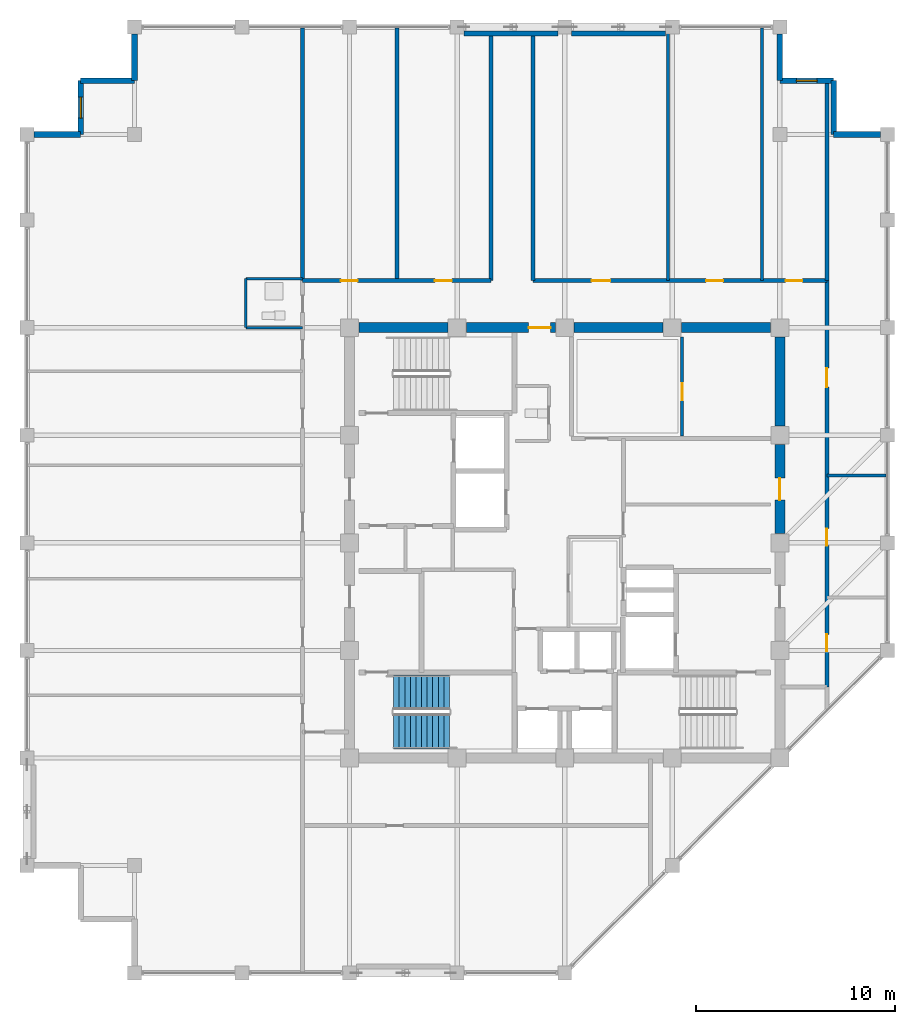
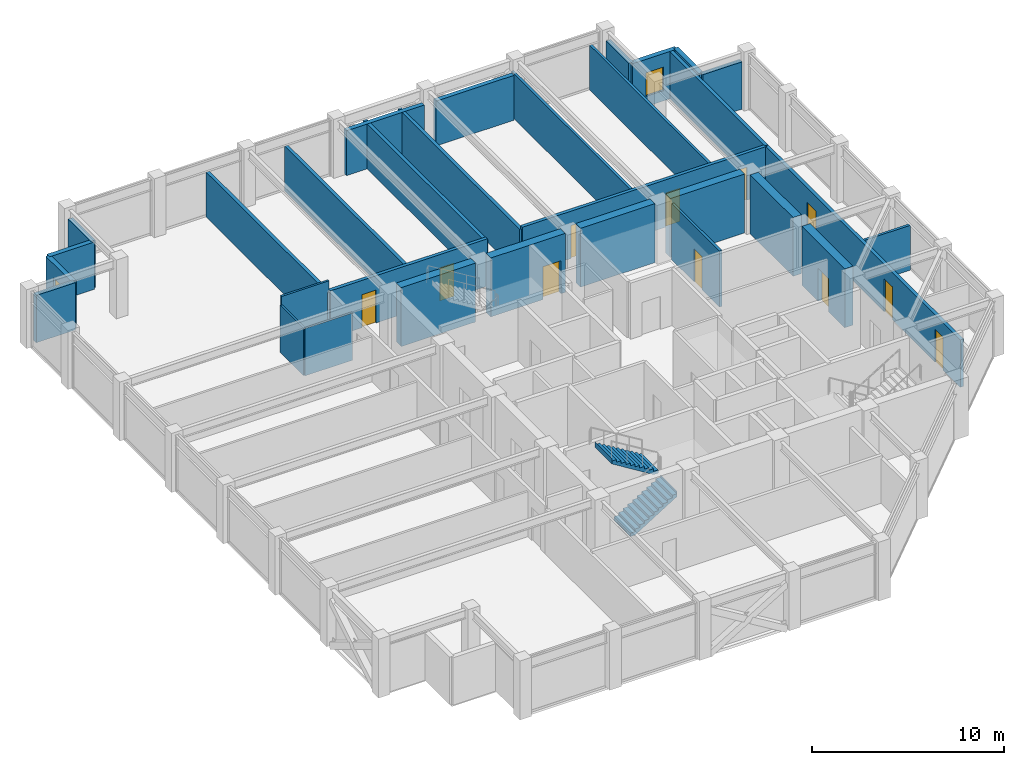
# One storey, part 28 of 31: 31 walls, 11 doors, 2 stair flights, 2 windows, 13 openings, 1 element without a shape of its own.
"""IFC4 building model written with IfcOpenShell, lengths in metres."""

from ifc_helpers import new_model, si_unit, direction, frame, frame_2d, origin, place, context, subcontext, project, spatial, polyline, rectangle, outline, extrude, material, layer, layer_set, type_object, element, fill, aggregate, save


model = new_model("IFC4")

# Units and contexts
model_context = context("Model", 3, precision=1e-05, world=origin(), true_north=direction((0.0, 1.0)))
body_context = subcontext(model_context, "Body", "Model", "MODEL_VIEW")
ifc_project = project(units=[si_unit("LENGTHUNIT", "METRE"), si_unit("AREAUNIT", "SQUARE_METRE"), si_unit("VOLUMEUNIT", "CUBIC_METRE"), si_unit("PLANEANGLEUNIT", "RADIAN"), si_unit("MASSUNIT", "GRAM", prefix="KILO")], contexts=[model_context])

# Site, building, storey
site_placement = place(None, origin())
site = spatial("IfcSite", under=ifc_project, at=site_placement, CompositionType="ELEMENT")
building_placement = place(site_placement, origin())
building = spatial("IfcBuilding", under=site, at=building_placement, Name="Surkhivell Harbour Commons", CompositionType="ELEMENT")
storey_placement = place(building_placement, frame((0.0, 0.0, 288.75)))
storey = spatial("IfcBuildingStorey", under=building, at=storey_placement, Name="L75", CompositionType="ELEMENT", Elevation=288.75)

# Wall
ifc_material_1 = material(Name="Concrete C50/60", Category="concrete")
ifc_layer_1 = layer(ifc_material_1, 0.5)
ifc_layer_set_1 = layer_set([ifc_layer_1], Name="Concrete C50/60")
wall_type_1 = type_object("IfcWallType", Name="WAL-CORE-500", PredefinedType="SHEAR", material=ifc_layer_set_1)
wall_1_placement = place(storey_placement, frame((-10.340087890625, 10.800048828125, 0.0), z_axis=(0.0, 0.0, 1.0), x_axis=(1.0, 0.0, 0.0)))
element("IfcWall", 1, at=wall_1_placement, inside=storey, type_object=wall_type_1, Name="L75 Core Shear Wall North 1", PredefinedType="SHEAR", context=body_context, shape_type="SweptSolid", body=[
    extrude(rectangle(XDim=4.47998046875, YDim=0.5, at=frame_2d((2.239990234375, 0.0))), origin(), (0.0, 0.0, 1.0), 3.75),
])

# Wall, opening, door
wall_2_placement = place(storey_placement, frame((-4.93994140625, 10.800048828125, 0.0), z_axis=(0.0, 0.0, 1.0), x_axis=(1.0, 0.0, 0.0)))
wall_2 = element("IfcWall", 2, at=wall_2_placement, inside=storey, type_object=wall_type_1, Name="L75 Core Shear Wall North 2", PredefinedType="SHEAR", context=body_context, shape_type="SweptSolid", body=[
    extrude(rectangle(XDim=4.47998046875, YDim=0.5, at=frame_2d((2.239990234375, 0.0))), origin(), (0.0, 0.0, 1.0), 3.75),
])
opening_1_placement = place(wall_2_placement, frame((3.1298828125, 0.0, 0.0)))
opening_1 = element("IfcOpeningElement", 3, at=opening_1_placement, cuts=wall_2, Name="Opening ID-2", PredefinedType="OPENING", context=body_context, shape_type="SweptSolid", body=[
    extrude(rectangle(XDim=1.10009765625, YDim=2.10009765625, at=frame_2d((0.550048828125, 1.050048828125))), frame((0.0, 0.260009765625, 0.0), z_axis=(0.0, -1.0, 0.0), x_axis=(1.0, 0.0, 0.0)), (0.0, 0.0, 1.0), 0.52001953125),
])
ifc_material_2 = material(Name="Hardwood-veneered fire-rated door leaf", Category="wood")
door_type_1 = type_object("IfcDoorType", Name="DOR-FD60-1100", OperationType="NOTDEFINED", PredefinedType="DOOR", material=ifc_material_2)
door_1_placement = place(opening_1_placement, origin())
door_1 = element("IfcDoor", 4, at=door_1_placement, inside=storey, type_object=door_type_1, Name="L75 Central Core Lift Hall North Corridor Door", OperationType="SINGLE_SWING_LEFT", OverallHeight=2.10009765625, OverallWidth=1.10009765625, PredefinedType="DOOR", context=body_context, shape_type="SweptSolid", body=[
    extrude(rectangle(XDim=1.10009765625, YDim=2.10009765625, at=frame_2d((0.550048828125, 1.050048828125))), frame((0.0, 0.02490234375, 0.0), z_axis=(0.0, -1.0, 0.0), x_axis=(1.0, 0.0, 0.0)), (0.0, 0.0, 1.0), 0.050048828125),
])
fill(opening_1, door_1)

# Wall
wall_3_placement = place(storey_placement, frame((0.4599609375, 10.800048828125, 0.0), z_axis=(0.0, 0.0, 1.0), x_axis=(1.0, 0.0, 0.0)))
element("IfcWall", 5, at=wall_3_placement, inside=storey, type_object=wall_type_1, Name="L75 Core Shear Wall North 3", PredefinedType="SHEAR", context=body_context, shape_type="SweptSolid", body=[
    extrude(rectangle(XDim=4.47998046875, YDim=0.5, at=frame_2d((2.239990234375, 0.0))), origin(), (0.0, 0.0, 1.0), 3.75),
])

# Wall, opening, door
wall_4_placement = place(storey_placement, frame((10.800048828125, 0.4599609375, 0.0), z_axis=(0.0, 0.0, 1.0), x_axis=(0.0, 1.0, 0.0)))
wall_4 = element("IfcWall", 6, at=wall_4_placement, inside=storey, type_object=wall_type_1, Name="L75 Core Shear Wall East 3", PredefinedType="SHEAR", context=body_context, shape_type="SweptSolid", body=[
    extrude(rectangle(XDim=4.47998046875, YDim=0.5, at=frame_2d((2.239990234375, 0.0))), origin(), (0.0, 0.0, 1.0), 3.75),
])
opening_2_placement = place(wall_4_placement, frame((1.68994140625, 0.0, 0.0)))
opening_2 = element("IfcOpeningElement", 7, at=opening_2_placement, cuts=wall_4, Name="Opening ID-2", PredefinedType="OPENING", context=body_context, shape_type="SweptSolid", body=[
    extrude(rectangle(XDim=1.10009765625, YDim=2.10009765625, at=frame_2d((0.550048828125, 1.050048828125))), frame((0.0, 0.260009765625, 0.0), z_axis=(0.0, -1.0, 0.0), x_axis=(1.0, 0.0, 0.0)), (0.0, 0.0, 1.0), 0.52001953125),
])
door_2_placement = place(opening_2_placement, origin())
door_2 = element("IfcDoor", 8, at=door_2_placement, inside=storey, type_object=door_type_1, Name="L75 Quiet Study B East Door", OperationType="SINGLE_SWING_RIGHT", OverallHeight=2.10009765625, OverallWidth=1.10009765625, PredefinedType="DOOR", context=body_context, shape_type="SweptSolid", body=[
    extrude(rectangle(XDim=1.10009765625, YDim=2.10009765625, at=frame_2d((0.550048828125, 1.050048828125))), frame((0.0, 0.02490234375, 0.0), z_axis=(0.0, -1.0, 0.0), x_axis=(1.0, 0.0, 0.0)), (0.0, 0.0, 1.0), 0.050048828125),
])
fill(opening_2, door_2)

# Walls
for number, where, z_axis, x_axis, name in (
    (9, (5.860107421875, 10.800048828125, 0.0), (0.0, 0.0, 1.0), (1.0, 0.0, 0.0), "L75 Core Shear Wall North 4"),
    (10, (10.800048828125, 5.860107421875, 0.0), (0.0, 0.0, 1.0), (0.0, 1.0, 0.0), "L75 Core Shear Wall East 4"),
):
    element("IfcWall", number, at=place(storey_placement, frame(where, z_axis=z_axis, x_axis=x_axis)), inside=storey, type_object=wall_type_1, Name=name, PredefinedType="SHEAR", context=body_context, shape_type="SweptSolid", body=[
        extrude(rectangle(XDim=4.47998046875, YDim=0.5, at=frame_2d((2.239990234375, 0.0))), origin(), (0.0, 0.0, 1.0), 3.75),
    ])
ifc_material_3 = material(Name="Pale-metal insulated precast concrete C45/55", Category="concrete")
ifc_layer_2 = layer(ifc_material_3, 0.260009765625)
ifc_layer_set_2 = layer_set([ifc_layer_2], Name="Pale-metal insulated precast concrete C45/55")
wall_type_2 = type_object("IfcWallType", Name="WAL-EXT-MTL260", PredefinedType="STANDARD", material=ifc_layer_set_2)
for number, where, z_axis, x_axis, name in (
    (11, (-0.347900390625, 25.56494140625, 0.0), (0.0, 0.0, 1.0), (-1.0, 0.0, 0.0), "L75 Braced-Bay Insulated Spandrel Backing N"),
    (12, (5.052001953125, 25.56494140625, 0.0), (0.0, 0.0, 1.0), (-1.0, 0.0, 0.0), "L75 Braced-Bay Insulated Spandrel Backing N2"),
):
    element("IfcWall", number, at=place(storey_placement, frame(where, z_axis=z_axis, x_axis=x_axis)), inside=storey, type_object=wall_type_2, Name=name, PredefinedType="STANDARD", context=body_context, shape_type="SweptSolid", body=[
        extrude(rectangle(XDim=4.7041015625, YDim=0.260009765625, at=frame_2d((2.35205078125, 0.0))), origin(), (0.0, 0.0, 1.0), 2.85693359375),
    ])
ifc_material_4 = material(Name="Terracotta-clad reinforced concrete C45/55", Category="masonry")
ifc_layer_3 = layer(ifc_material_4, 0.280029296875)
ifc_layer_set_3 = layer_set([ifc_layer_3], Name="Terracotta-clad reinforced concrete C45/55")
wall_type_3 = type_object("IfcWallType", Name="WAL-EXT-TER280", PredefinedType="STANDARD", material=ifc_layer_set_3)
wall_5_placement = place(storey_placement, frame((15.85205078125, 20.5, 0.0), z_axis=(0.0, 0.0, 1.0), x_axis=(-1.0, 0.0, 0.0)))
element("IfcWall", 13, at=wall_5_placement, inside=storey, type_object=wall_type_3, Name="L75 Serrated Corner Facade Wall 03", PredefinedType="STANDARD", context=body_context, shape_type="SweptSolid", body=[
    extrude(rectangle(XDim=2.35205078125, YDim=0.280029296875, at=frame_2d((1.176025390625, 0.0))), origin(), (0.0, 0.0, 1.0), 3.012939453125),
])
wall_6_placement = place(storey_placement, frame((13.5, 20.5, 0.0), z_axis=(0.0, 0.0, 1.0), x_axis=(0.0, 1.0, 0.0)))
element("IfcWall", 14, at=wall_6_placement, inside=storey, type_object=wall_type_3, Name="L75 Serrated Corner Facade Wall 04", PredefinedType="STANDARD", context=body_context, shape_type="SweptSolid", body=[
    extrude(rectangle(XDim=2.699951171875, YDim=0.280029296875, at=frame_2d((1.35009765625, 0.0))), origin(), (0.0, 0.0, 1.0), 3.012939453125),
])

# Wall, opening, window
wall_7_placement = place(storey_placement, frame((13.5, 23.199951171875, 0.0), z_axis=(0.0, 0.0, 1.0), x_axis=(-1.0, 0.0, 0.0)))
wall_7 = element("IfcWall", 15, at=wall_7_placement, inside=storey, type_object=wall_type_3, Name="L75 Serrated Corner Facade Wall 05", PredefinedType="STANDARD", context=body_context, shape_type="SweptSolid", body=[
    extrude(rectangle(XDim=2.699951171875, YDim=0.280029296875, at=frame_2d((1.35009765625, 0.0))), origin(), (0.0, 0.0, 1.0), 3.012939453125),
])
opening_3_placement = place(wall_7_placement, frame((0.824951171875, 0.0, 0.64990234375)))
opening_3 = element("IfcOpeningElement", 16, at=opening_3_placement, cuts=wall_7, Name="Opening WN-11", PredefinedType="OPENING", context=body_context, shape_type="SweptSolid", body=[
    extrude(rectangle(XDim=1.050048828125, YDim=1.5, at=frame_2d((0.52490234375, 0.75))), frame((0.0, 0.14990234375, 0.0), z_axis=(0.0, -1.0, 0.0), x_axis=(1.0, 0.0, 0.0)), (0.0, 0.0, 1.0), 0.300048828125),
])
ifc_material_5 = material(Name="Thermal-break aluminium frame and double low-E glazing", Category="aluminium")
window_type = type_object("IfcWindowType", Name="WIN-SER-1050x1500", PartitioningType="SINGLE_PANEL", PredefinedType="WINDOW", material=ifc_material_5)
window_1_placement = place(opening_3_placement, origin())
window_1 = element("IfcWindow", 17, at=window_1_placement, inside=storey, type_object=window_type, Name="L75 Serrated Alcove Window 05", OverallHeight=1.5, OverallWidth=1.050048828125, PartitioningType="SINGLE_PANEL", PredefinedType="WINDOW", context=body_context, shape_type="SweptSolid", body=[
    extrude(rectangle(XDim=1.050048828125, YDim=1.5, at=frame_2d((0.52490234375, 0.75))), frame((0.0, 0.030029296875, 0.0), z_axis=(0.0, -1.0, 0.0), x_axis=(1.0, 0.0, 0.0)), (0.0, 0.0, 1.0), 0.06005859375),
])
fill(opening_3, window_1)

# Walls
for number, where, z_axis, x_axis, name in (
    (18, (10.800048828125, 23.199951171875, 0.0), (0.0, 0.0, 1.0), (0.0, 1.0, 0.0), "L75 Serrated Corner Facade Wall 06"),
    (19, (-21.60009765625, 25.552001953125, 0.0), (0.0, 0.0, 1.0), (0.0, -1.0, 0.0), "L75 Serrated Corner Facade Wall 08"),
):
    element("IfcWall", number, at=place(storey_placement, frame(where, z_axis=z_axis, x_axis=x_axis)), inside=storey, type_object=wall_type_3, Name=name, PredefinedType="STANDARD", context=body_context, shape_type="SweptSolid", body=[
        extrude(rectangle(XDim=2.35205078125, YDim=0.280029296875, at=frame_2d((1.176025390625, 0.0))), origin(), (0.0, 0.0, 1.0), 3.012939453125),
    ])
wall_8_placement = place(storey_placement, frame((-21.60009765625, 23.199951171875, 0.0), z_axis=(0.0, 0.0, 1.0), x_axis=(-1.0, 0.0, 0.0)))
element("IfcWall", 20, at=wall_8_placement, inside=storey, type_object=wall_type_3, Name="L75 Serrated Corner Facade Wall 09", PredefinedType="STANDARD", context=body_context, shape_type="SweptSolid", body=[
    extrude(rectangle(XDim=2.699951171875, YDim=0.280029296875, at=frame_2d((1.35009765625, 0.0))), origin(), (0.0, 0.0, 1.0), 3.012939453125),
])

# Wall, opening, window
wall_9_placement = place(storey_placement, frame((-24.300048828125, 23.199951171875, 0.0), z_axis=(0.0, 0.0, 1.0), x_axis=(0.0, -1.0, 0.0)))
wall_9 = element("IfcWall", 21, at=wall_9_placement, inside=storey, type_object=wall_type_3, Name="L75 Serrated Corner Facade Wall 10", PredefinedType="STANDARD", context=body_context, shape_type="SweptSolid", body=[
    extrude(rectangle(XDim=2.699951171875, YDim=0.280029296875, at=frame_2d((1.35009765625, 0.0))), origin(), (0.0, 0.0, 1.0), 3.012939453125),
])
opening_4_placement = place(wall_9_placement, frame((0.824951171875, 0.0, 0.64990234375)))
opening_4 = element("IfcOpeningElement", 22, at=opening_4_placement, cuts=wall_9, Name="Opening WN-11", PredefinedType="OPENING", context=body_context, shape_type="SweptSolid", body=[
    extrude(rectangle(XDim=1.050048828125, YDim=1.5, at=frame_2d((0.52490234375, 0.75))), frame((0.0, 0.14990234375, 0.0), z_axis=(0.0, -1.0, 0.0), x_axis=(1.0, 0.0, 0.0)), (0.0, 0.0, 1.0), 0.300048828125),
])
window_2_placement = place(opening_4_placement, origin())
window_2 = element("IfcWindow", 23, at=window_2_placement, inside=storey, type_object=window_type, Name="L75 Serrated Alcove Window 10", OverallHeight=1.5, OverallWidth=1.050048828125, PartitioningType="SINGLE_PANEL", PredefinedType="WINDOW", context=body_context, shape_type="SweptSolid", body=[
    extrude(rectangle(XDim=1.050048828125, YDim=1.5, at=frame_2d((0.52490234375, 0.75))), frame((0.0, 0.030029296875, 0.0), z_axis=(0.0, -1.0, 0.0), x_axis=(1.0, 0.0, 0.0)), (0.0, 0.0, 1.0), 0.06005859375),
])
fill(opening_4, window_2)

# Walls
wall_10_placement = place(storey_placement, frame((-24.300048828125, 20.5, 0.0), z_axis=(0.0, 0.0, 1.0), x_axis=(-1.0, 0.0, 0.0)))
element("IfcWall", 24, at=wall_10_placement, inside=storey, type_object=wall_type_3, Name="L75 Serrated Corner Facade Wall 11", PredefinedType="STANDARD", context=body_context, shape_type="SweptSolid", body=[
    extrude(rectangle(XDim=2.35205078125, YDim=0.280029296875, at=frame_2d((1.176025390625, 0.0))), origin(), (0.0, 0.0, 1.0), 3.012939453125),
])
ifc_material_6 = material(Name="Moisture-resistant acoustic stud partition", Category="other")
ifc_layer_4 = layer(ifc_material_6, 0.125)
ifc_layer_set_4 = layer_set([ifc_layer_4], Name="Moisture-resistant acoustic stud partition")
wall_type_4 = type_object("IfcWallType", Name="WAL-INT-125", PredefinedType="PARTITIONING", material=ifc_layer_set_4)
wall_11_placement = place(storey_placement, frame((-16.010009765625, 10.81005859375, 0.0), z_axis=(0.0, 0.0, 1.0), x_axis=(0.0, 1.0, 0.0)))
element("IfcWall", 25, at=wall_11_placement, inside=storey, type_object=wall_type_4, Name="L75 West Partition BTHB", PredefinedType="PARTITIONING", context=body_context, shape_type="SweptSolid", body=[
    extrude(rectangle(XDim=2.449951171875, YDim=0.125, at=frame_2d((1.22509765625, 0.0))), origin(), (0.0, 0.0, 1.0), 3.012939453125),
])
wall_12_placement = place(storey_placement, frame((-16.010009765625, 13.260009765625, 0.0), z_axis=(0.0, 0.0, 1.0), x_axis=(1.0, 0.0, 0.0)))
element("IfcWall", 26, at=wall_12_placement, inside=storey, type_object=wall_type_4, Name="L75 West Partition BTHN", PredefinedType="PARTITIONING", context=body_context, shape_type="SweptSolid", body=[
    extrude(rectangle(XDim=2.85009765625, YDim=0.125, at=frame_2d((1.425048828125, 0.0))), origin(), (0.0, 0.0, 1.0), 3.570068359375),
])
wall_13_placement = place(storey_placement, frame((-16.010009765625, 10.81005859375, 0.0), z_axis=(0.0, 0.0, 1.0), x_axis=(1.0, 0.0, 0.0)))
element("IfcWall", 27, at=wall_13_placement, inside=storey, type_object=wall_type_4, Name="L75 West Partition BTHS", PredefinedType="PARTITIONING", context=body_context, shape_type="SweptSolid", body=[
    extrude(rectangle(XDim=2.85009765625, YDim=0.125, at=frame_2d((1.425048828125, 0.0))), origin(), (0.0, 0.0, 1.0), 3.012939453125),
])

# Wall, opening, door
ifc_material_7 = material(Name="Twin-stud acoustic fireboard partition", Category="other")
ifc_layer_5 = layer(ifc_material_7, 0.14990234375)
ifc_layer_set_5 = layer_set([ifc_layer_5], Name="Twin-stud acoustic fireboard partition")
wall_type_5 = type_object("IfcWallType", Name="WAL-INT-150", PredefinedType="PARTITIONING", material=ifc_layer_set_5)
wall_14_placement = place(storey_placement, frame((5.89990234375, 5.360107421875, 0.0), z_axis=(0.0, 0.0, 1.0), x_axis=(0.0, 1.0, 0.0)))
wall_14 = element("IfcWall", 28, at=wall_14_placement, inside=storey, type_object=wall_type_5, Name="L75 Study Pod Wall 1", PredefinedType="PARTITIONING", context=body_context, shape_type="SweptSolid", body=[
    extrude(rectangle(XDim=4.97998046875, YDim=0.14990234375, at=frame_2d((2.489990234375, 0.0))), origin(), (0.0, 0.0, 1.0), 3.570068359375),
])
opening_5_placement = place(wall_14_placement, frame((1.800048828125, 0.0, 0.0)))
opening_5 = element("IfcOpeningElement", 29, at=opening_5_placement, cuts=wall_14, Name="Opening ID-6", PredefinedType="OPENING", context=body_context, shape_type="SweptSolid", body=[
    extrude(rectangle(XDim=0.85009765625, YDim=2.10009765625, at=frame_2d((0.425048828125, 1.050048828125))), frame((0.0, 0.0849609375, 0.0), z_axis=(0.0, -1.0, 0.0), x_axis=(1.0, 0.0, 0.0)), (0.0, 0.0, 1.0), 0.169921875),
])
door_type_2 = type_object("IfcDoorType", Name="DOR-FD30-850", OperationType="NOTDEFINED", PredefinedType="DOOR", material=ifc_material_2)
door_3_placement = place(opening_5_placement, origin())
door_3 = element("IfcDoor", 30, at=door_3_placement, inside=storey, type_object=door_type_2, Name="L75 Core Music Door", OperationType="SINGLE_SWING_RIGHT", OverallHeight=2.10009765625, OverallWidth=0.85009765625, PredefinedType="DOOR", context=body_context, shape_type="SweptSolid", body=[
    extrude(rectangle(XDim=0.85009765625, YDim=2.10009765625, at=frame_2d((0.425048828125, 1.050048828125))), frame((0.0, 0.02490234375, 0.0), z_axis=(0.0, -1.0, 0.0), x_axis=(1.0, 0.0, 0.0)), (0.0, 0.0, 1.0), 0.050048828125),
])
fill(opening_5, door_3)

# Walls
wall_15_placement = place(storey_placement, frame((13.159912109375, 3.3701171875, 0.0), z_axis=(0.0, 0.0, 1.0), x_axis=(1.0, 0.0, 0.0)))
element("IfcWall", 31, at=wall_15_placement, inside=storey, type_object=wall_type_5, Name="L75 East Partition P2", PredefinedType="PARTITIONING", context=body_context, shape_type="SweptSolid", body=[
    extrude(rectangle(XDim=2.97998046875, YDim=0.14990234375, at=frame_2d((1.489990234375, 0.0))), origin(), (0.0, 0.0, 1.0), 2.85693359375),
])
for number, where, z_axis, x_axis, name in (
    (32, (5.18994140625, 13.159912109375, 0.0), (0.0, 0.0, 1.0), (0.0, 1.0, 0.0), "L75 North-East Partition P1"),
    (33, (9.909912109375, 13.159912109375, 0.0), (0.0, 0.0, 1.0), (0.0, 1.0, 0.0), "L75 North-East Partition P2"),
):
    element("IfcWall", number, at=place(storey_placement, frame(where, z_axis=z_axis, x_axis=x_axis)), inside=storey, type_object=wall_type_5, Name=name, PredefinedType="PARTITIONING", context=body_context, shape_type="SweptSolid", body=[
        extrude(rectangle(XDim=12.68017578125, YDim=0.14990234375, at=frame_2d((6.340087890625, 0.0))), origin(), (0.0, 0.0, 1.0), 2.85693359375),
    ])
ifc_material_8 = material(Name="Autoclaved aerated concrete blockwork and fire plaster", Category="masonry")
ifc_layer_6 = layer(ifc_material_8, 0.199951171875)
ifc_layer_set_6 = layer_set([ifc_layer_6], Name="Autoclaved aerated concrete blockwork and fire plaster")
wall_type_6 = type_object("IfcWallType", Name="WAL-INT-200", PredefinedType="PARTITIONING", material=ifc_layer_set_6)
wall_16_placement = place(storey_placement, frame((13.159912109375, 13.159912109375, 0.0), z_axis=(0.0, 0.0, 1.0), x_axis=(0.0, 1.0, 0.0)))
element("IfcWall", 34, at=wall_16_placement, inside=storey, type_object=wall_type_6, Name="L75 North-East Corner Wall", PredefinedType="PARTITIONING", context=body_context, shape_type="SweptSolid", body=[
    extrude(rectangle(XDim=9.97998046875, YDim=0.199951171875, at=frame_2d((4.989990234375, 0.0))), origin(), (0.0, 0.0, 1.0), 3.012939453125),
])
wall_17_placement = place(storey_placement, frame((-13.159912109375, 13.159912109375, 0.0), z_axis=(0.0, 0.0, 1.0), x_axis=(0.0, 1.0, 0.0)))
element("IfcWall", 35, at=wall_17_placement, inside=storey, type_object=wall_type_6, Name="L75 North-West Corner Wall", PredefinedType="PARTITIONING", context=body_context, shape_type="SweptSolid", body=[
    extrude(rectangle(XDim=12.68017578125, YDim=0.199951171875, at=frame_2d((6.340087890625, 0.0))), origin(), (0.0, 0.0, 1.0), 2.85693359375),
])

# Wall, openings, doors
wall_18_placement = place(storey_placement, frame((13.159912109375, -7.239990234375, 0.0), z_axis=(0.0, 0.0, 1.0), x_axis=(0.0, 1.0, 0.0)))
wall_18 = element("IfcWall", 36, at=wall_18_placement, inside=storey, type_object=wall_type_6, Name="L75 East Corridor Wall", PredefinedType="PARTITIONING", context=body_context, shape_type="SweptSolid", body=[
    extrude(rectangle(XDim=20.39990234375, YDim=0.199951171875, at=frame_2d((10.199951171875, 0.0))), origin(), (0.0, 0.0, 1.0), 3.012939453125),
])
opening_6_placement = place(wall_18_placement, frame((1.794921875, 0.0, 0.0)))
opening_6 = element("IfcOpeningElement", 37, at=opening_6_placement, cuts=wall_18, Name="Opening ID-6", PredefinedType="OPENING", context=body_context, shape_type="SweptSolid", body=[
    extrude(rectangle(XDim=0.85009765625, YDim=2.10009765625, at=frame_2d((0.425048828125, 1.050048828125))), frame((0.0, 0.10986328125, 0.0), z_axis=(0.0, -1.0, 0.0), x_axis=(1.0, 0.0, 0.0)), (0.0, 0.0, 1.0), 0.219970703125),
])
opening_7_placement = place(wall_18_placement, frame((7.10009765625, 0.0, 0.0)))
opening_7 = element("IfcOpeningElement", 38, at=opening_7_placement, cuts=wall_18, Name="Opening ID-6", PredefinedType="OPENING", context=body_context, shape_type="SweptSolid", body=[
    extrude(rectangle(XDim=0.85009765625, YDim=2.10009765625, at=frame_2d((0.425048828125, 1.050048828125))), frame((0.0, 0.10986328125, 0.0), z_axis=(0.0, -1.0, 0.0), x_axis=(1.0, 0.0, 0.0)), (0.0, 0.0, 1.0), 0.219970703125),
])
opening_8_placement = place(wall_18_placement, frame((15.054931640625, 0.0, 0.0)))
opening_8 = element("IfcOpeningElement", 39, at=opening_8_placement, cuts=wall_18, Name="Opening ID-4", PredefinedType="OPENING", context=body_context, shape_type="SweptSolid", body=[
    extrude(rectangle(XDim=0.949951171875, YDim=2.10009765625, at=frame_2d((0.47509765625, 1.050048828125))), frame((0.0, 0.10986328125, 0.0), z_axis=(0.0, -1.0, 0.0), x_axis=(1.0, 0.0, 0.0)), (0.0, 0.0, 1.0), 0.219970703125),
])
door_4_placement = place(opening_6_placement, origin())
door_4 = element("IfcDoor", 40, at=door_4_placement, inside=storey, type_object=door_type_2, Name="L75 Co-Working Study Office 1 East Door", OperationType="SINGLE_SWING_RIGHT", OverallHeight=2.10009765625, OverallWidth=0.85009765625, PredefinedType="DOOR", context=body_context, shape_type="SweptSolid", body=[
    extrude(rectangle(XDim=0.85009765625, YDim=2.10009765625, at=frame_2d((0.425048828125, 1.050048828125))), frame((0.0, 0.02490234375, 0.0), z_axis=(0.0, -1.0, 0.0), x_axis=(1.0, 0.0, 0.0)), (0.0, 0.0, 1.0), 0.050048828125),
])
fill(opening_6, door_4)
door_5_placement = place(opening_7_placement, origin())
door_5 = element("IfcDoor", 41, at=door_5_placement, inside=storey, type_object=door_type_2, Name="L75 Co-Working Study Office 2 East Door", OperationType="SINGLE_SWING_LEFT", OverallHeight=2.10009765625, OverallWidth=0.85009765625, PredefinedType="DOOR", context=body_context, shape_type="SweptSolid", body=[
    extrude(rectangle(XDim=0.85009765625, YDim=2.10009765625, at=frame_2d((0.425048828125, 1.050048828125))), frame((0.0, 0.02490234375, 0.0), z_axis=(0.0, -1.0, 0.0), x_axis=(1.0, 0.0, 0.0)), (0.0, 0.0, 1.0), 0.050048828125),
])
fill(opening_7, door_5)
door_type_3 = type_object("IfcDoorType", Name="DOR-FD60-950", OperationType="NOTDEFINED", PredefinedType="DOOR", material=ifc_material_2)
door_6_placement = place(opening_8_placement, origin())
door_6 = element("IfcDoor", 42, at=door_6_placement, inside=storey, type_object=door_type_3, Name="L75 Co-Working Study Office 3 East Door", OperationType="SINGLE_SWING_RIGHT", OverallHeight=2.10009765625, OverallWidth=0.949951171875, PredefinedType="DOOR", context=body_context, shape_type="SweptSolid", body=[
    extrude(rectangle(XDim=0.949951171875, YDim=2.10009765625, at=frame_2d((0.47509765625, 1.050048828125))), frame((0.0, 0.02490234375, 0.0), z_axis=(0.0, -1.0, 0.0), x_axis=(1.0, 0.0, 0.0)), (0.0, 0.0, 1.0), 0.050048828125),
])
fill(opening_8, door_6)

wall_19_placement = place(storey_placement, frame((-13.159912109375, 13.159912109375, 0.0), z_axis=(0.0, 0.0, 1.0), x_axis=(1.0, 0.0, 0.0)))
wall_19 = element("IfcWall", 43, at=wall_19_placement, inside=storey, type_object=wall_type_6, Name="L75 North-West Corridor Wall", PredefinedType="PARTITIONING", context=body_context, shape_type="SweptSolid", body=[
    extrude(rectangle(XDim=9.4599609375, YDim=0.199951171875, at=frame_2d((4.72998046875, 0.0))), origin(), (0.0, 0.0, 1.0), 3.012939453125),
])
opening_9_placement = place(wall_19_placement, frame((1.9150390625, 0.0, 0.0)))
opening_9 = element("IfcOpeningElement", 44, at=opening_9_placement, cuts=wall_19, Name="Opening ID-6", PredefinedType="OPENING", context=body_context, shape_type="SweptSolid", body=[
    extrude(rectangle(XDim=0.85009765625, YDim=2.10009765625, at=frame_2d((0.425048828125, 1.050048828125))), frame((0.0, 0.10986328125, 0.0), z_axis=(0.0, -1.0, 0.0), x_axis=(1.0, 0.0, 0.0)), (0.0, 0.0, 1.0), 0.219970703125),
])
opening_10_placement = place(wall_19_placement, frame((6.64501953125, 0.0, 0.0)))
opening_10 = element("IfcOpeningElement", 45, at=opening_10_placement, cuts=wall_19, Name="Opening ID-6", PredefinedType="OPENING", context=body_context, shape_type="SweptSolid", body=[
    extrude(rectangle(XDim=0.85009765625, YDim=2.10009765625, at=frame_2d((0.425048828125, 1.050048828125))), frame((0.0, 0.10986328125, 0.0), z_axis=(0.0, -1.0, 0.0), x_axis=(1.0, 0.0, 0.0)), (0.0, 0.0, 1.0), 0.219970703125),
])
door_7_placement = place(opening_9_placement, origin())
door_7 = element("IfcDoor", 46, at=door_7_placement, inside=storey, type_object=door_type_2, Name="L75 Campus Co-Op Bookshop North-West Door", OperationType="SINGLE_SWING_LEFT", OverallHeight=2.10009765625, OverallWidth=0.85009765625, PredefinedType="DOOR", context=body_context, shape_type="SweptSolid", body=[
    extrude(rectangle(XDim=0.85009765625, YDim=2.10009765625, at=frame_2d((0.425048828125, 1.050048828125))), frame((0.0, 0.02490234375, 0.0), z_axis=(0.0, -1.0, 0.0), x_axis=(1.0, 0.0, 0.0)), (0.0, 0.0, 1.0), 0.050048828125),
])
fill(opening_9, door_7)
door_8_placement = place(opening_10_placement, origin())
door_8 = element("IfcDoor", 47, at=door_8_placement, inside=storey, type_object=door_type_2, Name="L75 Harbour Espresso Cafe Shop North-West Door", OperationType="SINGLE_SWING_RIGHT", OverallHeight=2.10009765625, OverallWidth=0.85009765625, PredefinedType="DOOR", context=body_context, shape_type="SweptSolid", body=[
    extrude(rectangle(XDim=0.85009765625, YDim=2.10009765625, at=frame_2d((0.425048828125, 1.050048828125))), frame((0.0, 0.02490234375, 0.0), z_axis=(0.0, -1.0, 0.0), x_axis=(1.0, 0.0, 0.0)), (0.0, 0.0, 1.0), 0.050048828125),
])
fill(opening_10, door_8)

wall_20_placement = place(storey_placement, frame((-1.60009765625, 13.159912109375, 0.0), z_axis=(0.0, 0.0, 1.0), x_axis=(1.0, 0.0, 0.0)))
wall_20 = element("IfcWall", 48, at=wall_20_placement, inside=storey, type_object=wall_type_6, Name="L75 North-East Corridor Wall", PredefinedType="PARTITIONING", context=body_context, shape_type="SweptSolid", body=[
    extrude(rectangle(XDim=14.760009765625, YDim=0.199951171875, at=frame_2d((7.3798828125, 0.0))), origin(), (0.0, 0.0, 1.0), 3.012939453125),
])
opening_11_placement = place(wall_20_placement, frame((2.945068359375, 0.0, 0.0)))
opening_11 = element("IfcOpeningElement", 49, at=opening_11_placement, cuts=wall_20, Name="Opening ID-4", PredefinedType="OPENING", context=body_context, shape_type="SweptSolid", body=[
    extrude(rectangle(XDim=0.949951171875, YDim=2.10009765625, at=frame_2d((0.47509765625, 1.050048828125))), frame((0.0, 0.10986328125, 0.0), z_axis=(0.0, -1.0, 0.0), x_axis=(1.0, 0.0, 0.0)), (0.0, 0.0, 1.0), 0.219970703125),
])
opening_12_placement = place(wall_20_placement, frame((8.699951171875, 0.0, 0.0)))
opening_12 = element("IfcOpeningElement", 50, at=opening_12_placement, cuts=wall_20, Name="Opening ID-6", PredefinedType="OPENING", context=body_context, shape_type="SweptSolid", body=[
    extrude(rectangle(XDim=0.85009765625, YDim=2.10009765625, at=frame_2d((0.425048828125, 1.050048828125))), frame((0.0, 0.10986328125, 0.0), z_axis=(0.0, -1.0, 0.0), x_axis=(1.0, 0.0, 0.0)), (0.0, 0.0, 1.0), 0.219970703125),
])
opening_13_placement = place(wall_20_placement, frame((12.68505859375, 0.0, 0.0)))
opening_13 = element("IfcOpeningElement", 51, at=opening_13_placement, cuts=wall_20, Name="Opening ID-6", PredefinedType="OPENING", context=body_context, shape_type="SweptSolid", body=[
    extrude(rectangle(XDim=0.85009765625, YDim=2.10009765625, at=frame_2d((0.425048828125, 1.050048828125))), frame((0.0, 0.10986328125, 0.0), z_axis=(0.0, -1.0, 0.0), x_axis=(1.0, 0.0, 0.0)), (0.0, 0.0, 1.0), 0.219970703125),
])
door_9_placement = place(opening_12_placement, origin())
door_9 = element("IfcDoor", 52, at=door_9_placement, inside=storey, type_object=door_type_2, Name="L75 Resident Social Lounge 2 North-East Door", OperationType="SINGLE_SWING_RIGHT", OverallHeight=2.10009765625, OverallWidth=0.85009765625, PredefinedType="DOOR", context=body_context, shape_type="SweptSolid", body=[
    extrude(rectangle(XDim=0.85009765625, YDim=2.10009765625, at=frame_2d((0.425048828125, 1.050048828125))), frame((0.0, 0.02490234375, 0.0), z_axis=(0.0, -1.0, 0.0), x_axis=(1.0, 0.0, 0.0)), (0.0, 0.0, 1.0), 0.050048828125),
])
fill(opening_12, door_9)
door_10_placement = place(opening_13_placement, origin())
door_10 = element("IfcDoor", 53, at=door_10_placement, inside=storey, type_object=door_type_2, Name="L75 Resident Social Lounge 3 North-East Door", OperationType="SINGLE_SWING_LEFT", OverallHeight=2.10009765625, OverallWidth=0.85009765625, PredefinedType="DOOR", context=body_context, shape_type="SweptSolid", body=[
    extrude(rectangle(XDim=0.85009765625, YDim=2.10009765625, at=frame_2d((0.425048828125, 1.050048828125))), frame((0.0, 0.02490234375, 0.0), z_axis=(0.0, -1.0, 0.0), x_axis=(1.0, 0.0, 0.0)), (0.0, 0.0, 1.0), 0.050048828125),
])
fill(opening_13, door_10)
door_11_placement = place(opening_11_placement, origin())
door_11 = element("IfcDoor", 54, at=door_11_placement, inside=storey, type_object=door_type_3, Name="L75 Resident Social Lounge 1 North-East Door", OperationType="SINGLE_SWING_LEFT", OverallHeight=2.10009765625, OverallWidth=0.949951171875, PredefinedType="DOOR", context=body_context, shape_type="SweptSolid", body=[
    extrude(rectangle(XDim=0.949951171875, YDim=2.10009765625, at=frame_2d((0.47509765625, 1.050048828125))), frame((0.0, 0.02490234375, 0.0), z_axis=(0.0, -1.0, 0.0), x_axis=(1.0, 0.0, 0.0)), (0.0, 0.0, 1.0), 0.050048828125),
])
fill(opening_11, door_11)

# Walls
for number, where, z_axis, x_axis, name in (
    (55, (-1.60009765625, 13.159912109375, 0.0), (0.0, 0.0, 1.0), (0.0, 1.0, 0.0), "L75 North Spur East Wall"),
    (56, (-3.699951171875, 13.159912109375, 0.0), (0.0, 0.0, 1.0), (0.0, 1.0, 0.0), "L75 North Spur West Wall"),
    (57, (-8.429931640625, 13.159912109375, 0.0), (0.0, 0.0, 1.0), (0.0, 1.0, 0.0), "L75 North-West Partition P1"),
):
    element("IfcWall", number, at=place(storey_placement, frame(where, z_axis=z_axis, x_axis=x_axis)), inside=storey, type_object=wall_type_6, Name=name, PredefinedType="PARTITIONING", context=body_context, shape_type="SweptSolid", body=[
        extrude(rectangle(XDim=12.68017578125, YDim=0.199951171875, at=frame_2d((6.340087890625, 0.0))), origin(), (0.0, 0.0, 1.0), 2.85693359375),
    ])

# Stair, stair flights
ifc_material_9 = material(Name="Precast concrete C45/55", Category="concrete")
stair_type = type_object("IfcStairType", Name="STR-DL-375", PredefinedType="HALF_TURN_STAIR", material=ifc_material_9)
stair_placement = place(storey_placement, origin())
stair = element("IfcStair", 58, at=stair_placement, inside=storey, type_object=stair_type, Name="L75 Core Exit Stair ST3", PredefinedType="HALF_TURN_STAIR")
stair_flight_type = type_object("IfcStairFlightType", Name="STF-DL-375", PredefinedType="STRAIGHT", material=ifc_material_9)
stair_flight_1_placement = place(storey_placement, frame((-8.590087890625, -9.465087890625, 0.0), z_axis=(0.0, 0.0, 1.0), x_axis=(1.0, 0.0, 0.0)))
stair_flight_1 = element("IfcStairFlight", 59, at=stair_flight_1_placement, type_object=stair_flight_type, Name="ST3 flight 1", NumberOfRisers=11, NumberOfTreads=10, PredefinedType="STRAIGHT", RiserHeight=0.170454545, TreadLength=0.28, context=body_context, shape_type="SweptSolid", body=[
    extrude(outline(polyline([(-0.0029296875, -0.034912109375), (-0.0029296875, 0.0), (0.0, 0.0), (0.0, 0.17041015625), (0.280029296875, 0.17041015625), (0.280029296875, 0.3408203125), (0.56005859375, 0.3408203125), (0.56005859375, 0.511474609375), (0.840087890625, 0.511474609375), (0.840087890625, 0.681884765625), (1.1201171875, 0.681884765625), (1.1201171875, 0.852294921875), (1.39990234375, 0.852294921875), (1.39990234375, 1.022705078125), (1.679931640625, 1.022705078125), (1.679931640625, 1.193115234375), (1.9599609375, 1.193115234375), (1.9599609375, 1.363525390625), (2.239990234375, 1.363525390625), (2.239990234375, 1.5341796875), (2.52001953125, 1.5341796875), (2.52001953125, 1.70458984375), (2.800048828125, 1.70458984375), (2.800048828125, 1.875), (2.802978515625, 1.875), (2.802978515625, 1.529052734375), (0.288330078125, -0.034912109375), (-0.0029296875, -0.034912109375)])), frame((0.0, 0.875, 0.0), z_axis=(0.0, -1.0, 0.0), x_axis=(1.0, 0.0, 0.0)), (0.0, 0.0, 1.0), 1.75),
])
stair_flight_2_placement = place(storey_placement, frame((-5.7900390625, -7.514892578125, 1.875), z_axis=(0.0, 0.0, 1.0), x_axis=(-1.0, 0.0, 0.0)))
stair_flight_2 = element("IfcStairFlight", 60, at=stair_flight_2_placement, type_object=stair_flight_type, Name="ST3 flight 2", NumberOfRisers=11, NumberOfTreads=10, PredefinedType="STRAIGHT", RiserHeight=0.170454545, TreadLength=0.28, context=body_context, shape_type="SweptSolid", body=[
    extrude(outline(polyline([(-0.0029296875, -0.034912109375), (-0.0029296875, 0.0), (0.0, 0.0), (0.0, 0.17041015625), (0.280029296875, 0.17041015625), (0.280029296875, 0.3408203125), (0.56005859375, 0.3408203125), (0.56005859375, 0.511474609375), (0.840087890625, 0.511474609375), (0.840087890625, 0.681884765625), (1.1201171875, 0.681884765625), (1.1201171875, 0.852294921875), (1.39990234375, 0.852294921875), (1.39990234375, 1.022705078125), (1.679931640625, 1.022705078125), (1.679931640625, 1.193115234375), (1.9599609375, 1.193115234375), (1.9599609375, 1.363525390625), (2.239990234375, 1.363525390625), (2.239990234375, 1.5341796875), (2.52001953125, 1.5341796875), (2.52001953125, 1.70458984375), (2.800048828125, 1.70458984375), (2.800048828125, 1.875), (2.802978515625, 1.875), (2.802978515625, 1.529052734375), (0.288330078125, -0.034912109375), (-0.0029296875, -0.034912109375)])), frame((0.0, 0.875, 0.0), z_axis=(0.0, -1.0, 0.0), x_axis=(1.0, 0.0, 0.0)), (0.0, 0.0, 1.0), 1.75),
])
aggregate(stair, [stair_flight_1, stair_flight_2])

save(model, "model.ifc")
